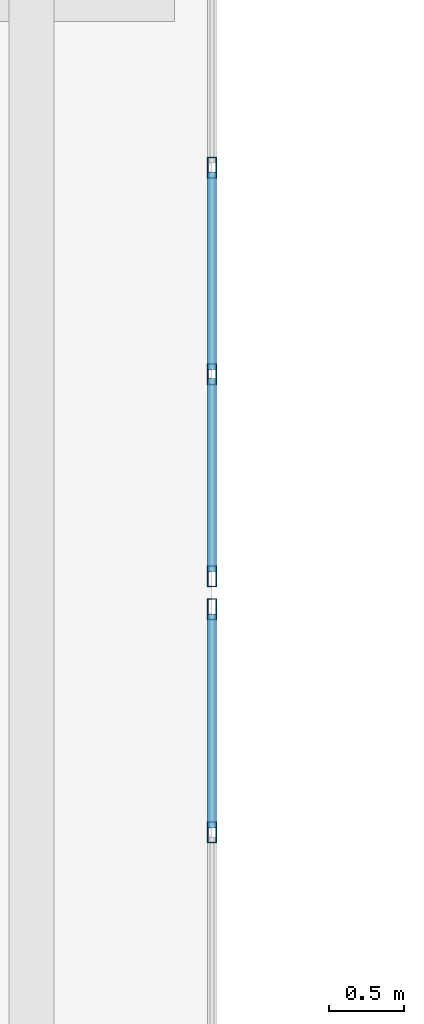
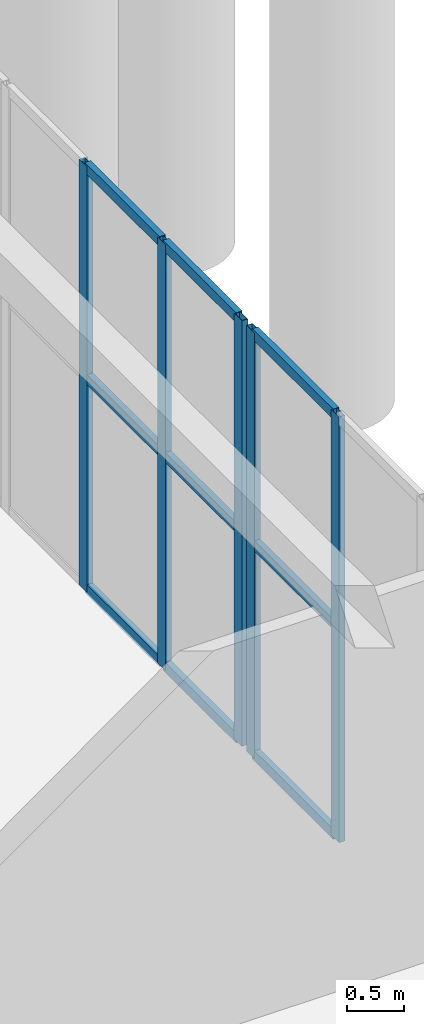
# One storey, part 110 of 192: 14 members, 2 elements without a shape of their own.
"""IFC4 building model written with IfcOpenShell, lengths in metres."""

from ifc_helpers import new_model, si_unit, direction, frame, origin, origin_2d, place, context, subcontext, project, spatial, hollow_rectangle, extrude, material, layer, layer_set, material_profile, profile_set, type_object, element, aggregate, save


model = new_model("IFC4")

# Units and contexts
model_context = context("Model", 3, precision=1e-05, world=origin(), true_north=direction((0.0, 1.0)))
body_context = subcontext(model_context, "Body", "Model", "MODEL_VIEW")
ifc_project = project(units=[si_unit("LENGTHUNIT", "METRE"), si_unit("AREAUNIT", "SQUARE_METRE"), si_unit("VOLUMEUNIT", "CUBIC_METRE"), si_unit("PLANEANGLEUNIT", "RADIAN"), si_unit("MASSUNIT", "GRAM", prefix="KILO")], contexts=[model_context])

# Site, building, storey
site_placement = place(None, origin())
site = spatial("IfcSite", under=ifc_project, at=site_placement, CompositionType="ELEMENT")
building_placement = place(site_placement, origin())
building = spatial("IfcBuilding", under=site, at=building_placement, Name="Trelvath General Hospital", CompositionType="ELEMENT")
storey_placement = place(building_placement, origin())
storey = spatial("IfcBuildingStorey", under=building, at=storey_placement, Name="L00", CompositionType="ELEMENT", Elevation=0.0)

# Curtain wall, members
ifc_material_1 = material(Name="Anodised aluminium and low-E glass", Category="aluminium")
ifc_layer_1 = layer(ifc_material_1, 0.139892578125)
ifc_layer_set_1 = layer_set([ifc_layer_1], Name="Anodised aluminium and low-E glass")
curtain_wall_type_1 = type_object("IfcCurtainWallType", Name="CW CrystalCube 1664 456 14", PredefinedType="USERDEFINED", material=ifc_layer_set_1)
curtain_wall_1_placement = place(storey_placement, origin())
curtain_wall_1 = element("IfcCurtainWall", 1, at=curtain_wall_1_placement, inside=storey, type_object=curtain_wall_type_1, Name="Crystal Cube Curtain Wall CUBE-E-T0 E4 L00", ObjectType="Unitised Glazed Curtain Wall", PredefinedType="USERDEFINED")
ifc_material_2 = material(Name="Anodised aluminium", Category="aluminium")
ifc_material_profile_1 = material_profile(ifc_material_2, hollow_rectangle(XDim=0.06005859375, YDim=0.139892578125, WallThickness=0.00390625, at=origin_2d()), Name="RHS60x140x4")
ifc_profile_set_1 = profile_set([ifc_material_profile_1], Name="Anodised aluminium")
member_type_1 = type_object("IfcMemberType", Name="CurtainMullion 60x140", PredefinedType="MULLION", material=ifc_profile_set_1)
member_1_placement = place(storey_placement, frame((121.199951171875, 67.090087890625, 0.0), z_axis=(0.0, 0.0, 1.0), x_axis=(1.0, 0.0, 0.0)))
member_1 = element("IfcMember", 2, at=member_1_placement, type_object=member_type_1, Name="CW-121 mullion 1", PredefinedType="MULLION", context=body_context, shape_type="SweptSolid", body=[
    extrude(hollow_rectangle(XDim=0.06005859375, YDim=0.139892578125, WallThickness=0.00390625, at=origin_2d()), origin(), (0.0, 0.0, 1.0), 4.56005859375),
])
member_2_placement = place(storey_placement, frame((121.199951171875, 65.607177734375, 0.0), z_axis=(0.0, 0.0, 1.0), x_axis=(1.0, 0.0, 0.0)))
member_2 = element("IfcMember", 3, at=member_2_placement, type_object=member_type_1, Name="CW-121 mullion 2", PredefinedType="MULLION", context=body_context, shape_type="SweptSolid", body=[
    extrude(hollow_rectangle(XDim=0.06005859375, YDim=0.139892578125, WallThickness=0.00390625, at=origin_2d()), origin(), (0.0, 0.0, 1.0), 4.56005859375),
])

ifc_material_3 = material(Name="Anodised aluminium and low-E glass", Category="aluminium")
ifc_layer_2 = layer(ifc_material_3, 0.139892578125)
ifc_layer_set_2 = layer_set([ifc_layer_2], Name="Anodised aluminium and low-E glass")
curtain_wall_type_2 = type_object("IfcCurtainWallType", Name="CW CrystalCube 824 456 14", PredefinedType="USERDEFINED", material=ifc_layer_set_2)
curtain_wall_2_placement = place(storey_placement, origin())
curtain_wall_2 = element("IfcCurtainWall", 4, at=curtain_wall_2_placement, inside=storey, type_object=curtain_wall_type_2, Name="Crystal Cube Curtain Wall CUBE-E-T0 E5 L00", ObjectType="Unitised Glazed Curtain Wall", PredefinedType="USERDEFINED")
member_3_placement = place(storey_placement, frame((121.199951171875, 70.026611328125, 0.0), z_axis=(0.0, 0.0, 1.0), x_axis=(1.0, 0.0, 0.0)))
member_3 = element("IfcMember", 5, at=member_3_placement, type_object=member_type_1, Name="CW-122 mullion 5", PredefinedType="MULLION", context=body_context, shape_type="SweptSolid", body=[
    extrude(hollow_rectangle(XDim=0.06005859375, YDim=0.139892578125, WallThickness=0.00390625, at=origin_2d()), origin(), (0.0, 0.0, 1.0), 4.56005859375),
])
member_4_placement = place(storey_placement, frame((121.199951171875, 68.6533203125, 0.0), z_axis=(0.0, 0.0, 1.0), x_axis=(1.0, 0.0, 0.0)))
member_4 = element("IfcMember", 6, at=member_4_placement, type_object=member_type_1, Name="CW-122 mullion 6", PredefinedType="MULLION", context=body_context, shape_type="SweptSolid", body=[
    extrude(hollow_rectangle(XDim=0.06005859375, YDim=0.139892578125, WallThickness=0.00390625, at=origin_2d()), origin(), (0.0, 0.0, 1.0), 4.56005859375),
])
member_5_placement = place(storey_placement, frame((121.199951171875, 67.31005859375, 0.0), z_axis=(0.0, 0.0, 1.0), x_axis=(1.0, 0.0, 0.0)))
member_5 = element("IfcMember", 7, at=member_5_placement, type_object=member_type_1, Name="CW-122 mullion 7", PredefinedType="MULLION", context=body_context, shape_type="SweptSolid", body=[
    extrude(hollow_rectangle(XDim=0.06005859375, YDim=0.139892578125, WallThickness=0.00390625, at=origin_2d()), origin(), (0.0, 0.0, 1.0), 4.56005859375),
])

# Member
ifc_material_4 = material(Name="Anodised aluminium", Category="aluminium")
ifc_material_profile_2 = material_profile(ifc_material_4, hollow_rectangle(XDim=0.06005859375, YDim=0.110107421875, WallThickness=0.00390625, at=origin_2d()), Name="RHS60x110x4")
ifc_profile_set_2 = profile_set([ifc_material_profile_2], Name="Anodised aluminium")
member_type_2 = type_object("IfcMemberType", Name="CurtainTransom 60x110", PredefinedType="USERDEFINED", material=ifc_profile_set_2)
member_6_placement = place(storey_placement, frame((121.199951171875, 67.06005859375, 0.030029296875), z_axis=(0.0, -1.0, 0.0), x_axis=(1.0, 0.0, 0.0)))
member_6 = element("IfcMember", 8, at=member_6_placement, type_object=member_type_2, Name="CW-121 transom 1.1", ObjectType="TRANSOM", PredefinedType="USERDEFINED", context=body_context, shape_type="SweptSolid", body=[
    extrude(hollow_rectangle(XDim=0.06005859375, YDim=0.110107421875, WallThickness=0.00390625, at=origin_2d()), origin(), (0.0, 0.0, 1.0), 1.4228515625),
])

member_7_placement = place(storey_placement, frame((121.199951171875, 67.06005859375, 2.280029296875), z_axis=(0.0, -1.0, 0.0), x_axis=(1.0, 0.0, 0.0)))
member_7 = element("IfcMember", 9, at=member_7_placement, type_object=member_type_2, Name="CW-121 transom 1.2", ObjectType="TRANSOM", PredefinedType="USERDEFINED", context=body_context, shape_type="SweptSolid", body=[
    extrude(hollow_rectangle(XDim=0.06005859375, YDim=0.110107421875, WallThickness=0.00390625, at=origin_2d()), origin(), (0.0, 0.0, 1.0), 1.4228515625),
])

member_8_placement = place(storey_placement, frame((121.199951171875, 67.06005859375, 4.530029296875), z_axis=(0.0, -1.0, 0.0), x_axis=(1.0, 0.0, 0.0)))
member_8 = element("IfcMember", 10, at=member_8_placement, type_object=member_type_2, Name="CW-121 transom 1.3", ObjectType="TRANSOM", PredefinedType="USERDEFINED", context=body_context, shape_type="SweptSolid", body=[
    extrude(hollow_rectangle(XDim=0.06005859375, YDim=0.110107421875, WallThickness=0.00390625, at=origin_2d()), origin(), (0.0, 0.0, 1.0), 1.4228515625),
])

aggregate(curtain_wall_1, [member_1, member_2, member_6, member_7, member_8])

member_9_placement = place(storey_placement, frame((121.199951171875, 69.99658203125, 0.030029296875), z_axis=(0.0, -1.0, 0.0), x_axis=(1.0, 0.0, 0.0)))
member_9 = element("IfcMember", 11, at=member_9_placement, type_object=member_type_2, Name="CW-122 transom 5.1", ObjectType="TRANSOM", PredefinedType="USERDEFINED", context=body_context, shape_type="SweptSolid", body=[
    extrude(hollow_rectangle(XDim=0.06005859375, YDim=0.110107421875, WallThickness=0.00390625, at=origin_2d()), origin(), (0.0, 0.0, 1.0), 1.313232421875),
])

member_10_placement = place(storey_placement, frame((121.199951171875, 69.99658203125, 2.280029296875), z_axis=(0.0, -1.0, 0.0), x_axis=(1.0, 0.0, 0.0)))
member_10 = element("IfcMember", 12, at=member_10_placement, type_object=member_type_2, Name="CW-122 transom 5.2", ObjectType="TRANSOM", PredefinedType="USERDEFINED", context=body_context, shape_type="SweptSolid", body=[
    extrude(hollow_rectangle(XDim=0.06005859375, YDim=0.110107421875, WallThickness=0.00390625, at=origin_2d()), origin(), (0.0, 0.0, 1.0), 1.313232421875),
])

member_11_placement = place(storey_placement, frame((121.199951171875, 69.99658203125, 4.530029296875), z_axis=(0.0, -1.0, 0.0), x_axis=(1.0, 0.0, 0.0)))
member_11 = element("IfcMember", 13, at=member_11_placement, type_object=member_type_2, Name="CW-122 transom 5.3", ObjectType="TRANSOM", PredefinedType="USERDEFINED", context=body_context, shape_type="SweptSolid", body=[
    extrude(hollow_rectangle(XDim=0.06005859375, YDim=0.110107421875, WallThickness=0.00390625, at=origin_2d()), origin(), (0.0, 0.0, 1.0), 1.313232421875),
])

member_12_placement = place(storey_placement, frame((121.199951171875, 68.623291015625, 0.030029296875), z_axis=(0.0, -1.0, 0.0), x_axis=(1.0, 0.0, 0.0)))
member_12 = element("IfcMember", 14, at=member_12_placement, type_object=member_type_2, Name="CW-122 transom 6.1", ObjectType="TRANSOM", PredefinedType="USERDEFINED", context=body_context, shape_type="SweptSolid", body=[
    extrude(hollow_rectangle(XDim=0.06005859375, YDim=0.110107421875, WallThickness=0.00390625, at=origin_2d()), origin(), (0.0, 0.0, 1.0), 1.283203125),
])

member_13_placement = place(storey_placement, frame((121.199951171875, 68.623291015625, 2.280029296875), z_axis=(0.0, -1.0, 0.0), x_axis=(1.0, 0.0, 0.0)))
member_13 = element("IfcMember", 15, at=member_13_placement, type_object=member_type_2, Name="CW-122 transom 6.2", ObjectType="TRANSOM", PredefinedType="USERDEFINED", context=body_context, shape_type="SweptSolid", body=[
    extrude(hollow_rectangle(XDim=0.06005859375, YDim=0.110107421875, WallThickness=0.00390625, at=origin_2d()), origin(), (0.0, 0.0, 1.0), 1.283203125),
])

member_14_placement = place(storey_placement, frame((121.199951171875, 68.623291015625, 4.530029296875), z_axis=(0.0, -1.0, 0.0), x_axis=(1.0, 0.0, 0.0)))
member_14 = element("IfcMember", 16, at=member_14_placement, type_object=member_type_2, Name="CW-122 transom 6.3", ObjectType="TRANSOM", PredefinedType="USERDEFINED", context=body_context, shape_type="SweptSolid", body=[
    extrude(hollow_rectangle(XDim=0.06005859375, YDim=0.110107421875, WallThickness=0.00390625, at=origin_2d()), origin(), (0.0, 0.0, 1.0), 1.283203125),
])

aggregate(curtain_wall_2, [member_3, member_4, member_5, member_9, member_10, member_11, member_12, member_13, member_14])

save(model, "model.ifc")
